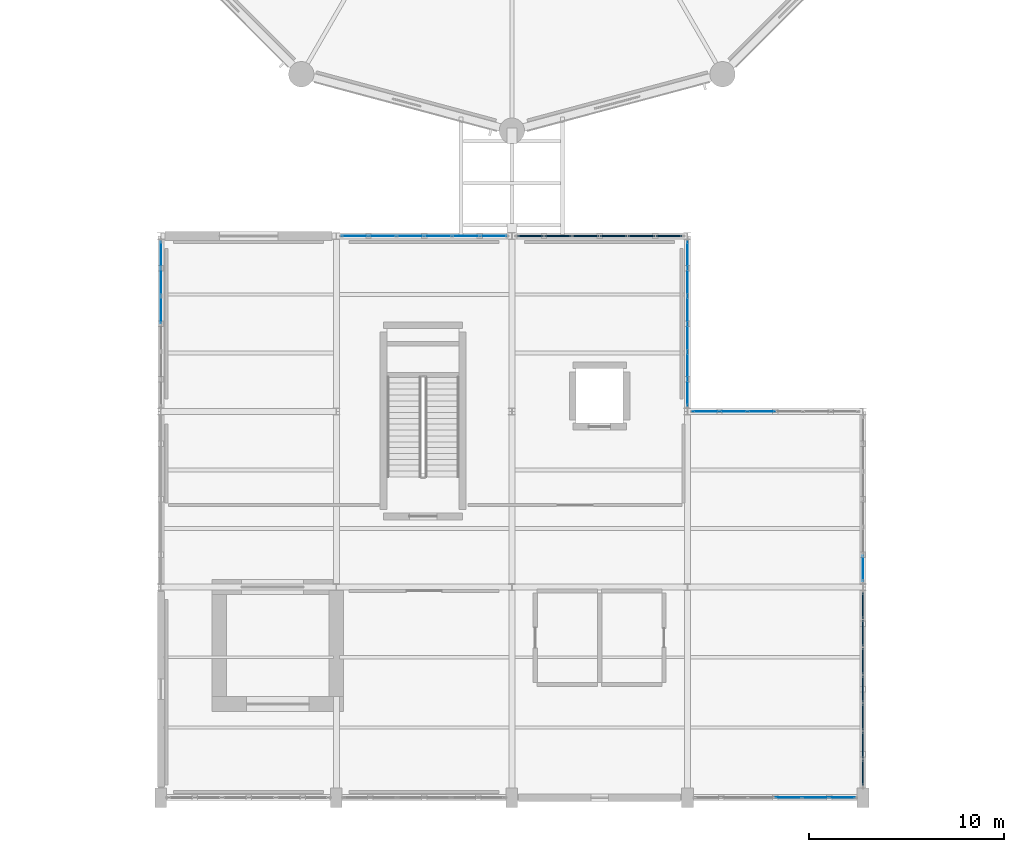
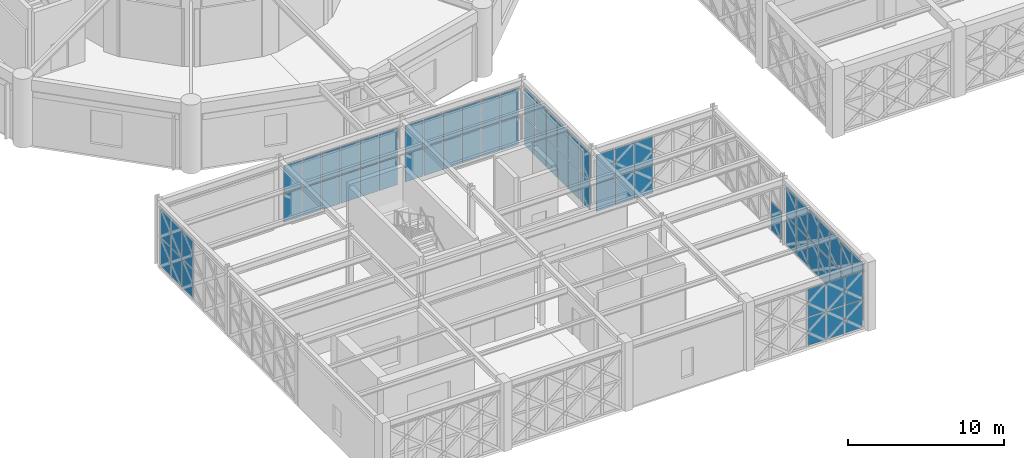
# One storey, part 127 of 166: 69 plates, 8 elements without a shape of their own.
"""IFC4 building model written with IfcOpenShell, lengths in metres."""

from ifc_helpers import new_model, si_unit, direction, frame, origin, origin_2d, place, context, subcontext, project, spatial, rectangle, extrude, material, layer, layer_set, type_object, element, aggregate, save


model = new_model("IFC4")

# Units and contexts
model_context = context("Model", 3, precision=1e-05, world=origin(), true_north=direction((0.0, 1.0)))
body_context = subcontext(model_context, "Body", "Model", "MODEL_VIEW")
ifc_project = project(units=[si_unit("LENGTHUNIT", "METRE"), si_unit("AREAUNIT", "SQUARE_METRE"), si_unit("VOLUMEUNIT", "CUBIC_METRE"), si_unit("PLANEANGLEUNIT", "RADIAN"), si_unit("MASSUNIT", "GRAM", prefix="KILO")], contexts=[model_context])

# Site, building, storey
site_placement = place(None, origin())
site = spatial("IfcSite", under=ifc_project, at=site_placement, CompositionType="ELEMENT")
building_placement = place(site_placement, origin())
building = spatial("IfcBuilding", under=site, at=building_placement, Name="Haizhuo Lancet Aquarium", CompositionType="ELEMENT")
storey_placement = place(building_placement, frame((0.0, 0.0, 5.39990234375)))
storey = spatial("IfcBuildingStorey", under=building, at=storey_placement, Name="L01", CompositionType="ELEMENT", Elevation=5.39990234375)

# Curtain wall, plates
ifc_material_1 = material(Name="Aluminium 6063-T6", Category="aluminium")
curtain_wall_type_1 = type_object("IfcCurtainWallType", Name="CWO-8560x4650", PredefinedType="NOTDEFINED", material=ifc_material_1)
curtain_wall_1_placement = place(storey_placement, origin())
curtain_wall_1 = element("IfcCurtainWall", 1, at=curtain_wall_1_placement, inside=storey, type_object=curtain_wall_type_1, Name="L01 curtain wall CW-V4-L01-093", PredefinedType="NOTDEFINED")
ifc_material_2 = material(Name="Laminated Low-E Glass", Category="glass")
ifc_layer_1 = layer(ifc_material_2, 0.028076171875)
ifc_layer_set_1 = layer_set([ifc_layer_1], Name="Laminated Low-E Glass")
plate_type_1 = type_object("IfcPlateType", Name="CW-PNL-1", PredefinedType="CURTAIN_PANEL", material=ifc_layer_set_1)
plate_1_placement = place(storey_placement, frame((9.0, -27.952880859375, 0.080078125), z_axis=(0.0, 0.0, 1.0), x_axis=(0.0, -1.0, 0.0)))
plate_1 = element("IfcPlate", 2, at=plate_1_placement, type_object=plate_type_1, Name="CWO-85x46 panel 1.1", PredefinedType="CURTAIN_PANEL", context=body_context, shape_type="SweptSolid", body=[
    extrude(rectangle(XDim=1.306884765625, YDim=0.028076171875, at=origin_2d()), origin(), (0.0, 0.0, 1.0), 2.2060546875),
])
plate_2_placement = place(storey_placement, frame((9.0, -27.952880859375, 2.365966796875), z_axis=(0.0, 0.0, 1.0), x_axis=(0.0, -1.0, 0.0)))
plate_2 = element("IfcPlate", 3, at=plate_2_placement, type_object=plate_type_1, Name="CWO-85x46 panel 1.2", PredefinedType="CURTAIN_PANEL", context=body_context, shape_type="SweptSolid", body=[
    extrude(rectangle(XDim=1.306884765625, YDim=0.028076171875, at=origin_2d()), origin(), (0.0, 0.0, 1.0), 2.2060546875),
])
plate_3_placement = place(storey_placement, frame((9.0, -29.360107421875, 0.080078125), z_axis=(0.0, 0.0, 1.0), x_axis=(0.0, -1.0, 0.0)))
plate_3 = element("IfcPlate", 4, at=plate_3_placement, type_object=plate_type_1, Name="CWO-85x46 panel 2.1", PredefinedType="CURTAIN_PANEL", context=body_context, shape_type="SweptSolid", body=[
    extrude(rectangle(XDim=1.346923828125, YDim=0.028076171875, at=origin_2d()), origin(), (0.0, 0.0, 1.0), 2.2060546875),
])
plate_4_placement = place(storey_placement, frame((9.0, -29.360107421875, 2.365966796875), z_axis=(0.0, 0.0, 1.0), x_axis=(0.0, -1.0, 0.0)))
plate_4 = element("IfcPlate", 5, at=plate_4_placement, type_object=plate_type_1, Name="CWO-85x46 panel 2.2", PredefinedType="CURTAIN_PANEL", context=body_context, shape_type="SweptSolid", body=[
    extrude(rectangle(XDim=1.346923828125, YDim=0.028076171875, at=origin_2d()), origin(), (0.0, 0.0, 1.0), 2.2060546875),
])
plate_5_placement = place(storey_placement, frame((9.0, -30.787109375, 0.080078125), z_axis=(0.0, 0.0, 1.0), x_axis=(0.0, -1.0, 0.0)))
plate_5 = element("IfcPlate", 6, at=plate_5_placement, type_object=plate_type_1, Name="CWO-85x46 panel 3.1", PredefinedType="CURTAIN_PANEL", context=body_context, shape_type="SweptSolid", body=[
    extrude(rectangle(XDim=1.346923828125, YDim=0.028076171875, at=origin_2d()), origin(), (0.0, 0.0, 1.0), 2.2060546875),
])
plate_6_placement = place(storey_placement, frame((9.0, -30.787109375, 2.365966796875), z_axis=(0.0, 0.0, 1.0), x_axis=(0.0, -1.0, 0.0)))
plate_6 = element("IfcPlate", 7, at=plate_6_placement, type_object=plate_type_1, Name="CWO-85x46 panel 3.2", PredefinedType="CURTAIN_PANEL", context=body_context, shape_type="SweptSolid", body=[
    extrude(rectangle(XDim=1.346923828125, YDim=0.028076171875, at=origin_2d()), origin(), (0.0, 0.0, 1.0), 2.2060546875),
])
plate_7_placement = place(storey_placement, frame((9.0, -32.212890625, 0.080078125), z_axis=(0.0, 0.0, 1.0), x_axis=(0.0, -1.0, 0.0)))
plate_7 = element("IfcPlate", 8, at=plate_7_placement, type_object=plate_type_1, Name="CWO-85x46 panel 4.1", PredefinedType="CURTAIN_PANEL", context=body_context, shape_type="SweptSolid", body=[
    extrude(rectangle(XDim=1.346923828125, YDim=0.028076171875, at=origin_2d()), origin(), (0.0, 0.0, 1.0), 2.2060546875),
])
plate_8_placement = place(storey_placement, frame((9.0, -32.212890625, 2.365966796875), z_axis=(0.0, 0.0, 1.0), x_axis=(0.0, -1.0, 0.0)))
plate_8 = element("IfcPlate", 9, at=plate_8_placement, type_object=plate_type_1, Name="CWO-85x46 panel 4.2", PredefinedType="CURTAIN_PANEL", context=body_context, shape_type="SweptSolid", body=[
    extrude(rectangle(XDim=1.346923828125, YDim=0.028076171875, at=origin_2d()), origin(), (0.0, 0.0, 1.0), 2.2060546875),
])
plate_9_placement = place(storey_placement, frame((9.0, -33.639892578125, 0.080078125), z_axis=(0.0, 0.0, 1.0), x_axis=(0.0, -1.0, 0.0)))
plate_9 = element("IfcPlate", 10, at=plate_9_placement, type_object=plate_type_1, Name="CWO-85x46 panel 5.1", PredefinedType="CURTAIN_PANEL", context=body_context, shape_type="SweptSolid", body=[
    extrude(rectangle(XDim=1.346923828125, YDim=0.028076171875, at=origin_2d()), origin(), (0.0, 0.0, 1.0), 2.2060546875),
])
plate_10_placement = place(storey_placement, frame((9.0, -33.639892578125, 2.365966796875), z_axis=(0.0, 0.0, 1.0), x_axis=(0.0, -1.0, 0.0)))
plate_10 = element("IfcPlate", 11, at=plate_10_placement, type_object=plate_type_1, Name="CWO-85x46 panel 5.2", PredefinedType="CURTAIN_PANEL", context=body_context, shape_type="SweptSolid", body=[
    extrude(rectangle(XDim=1.346923828125, YDim=0.028076171875, at=origin_2d()), origin(), (0.0, 0.0, 1.0), 2.2060546875),
])
plate_11_placement = place(storey_placement, frame((9.0, -35.047119140625, 0.080078125), z_axis=(0.0, 0.0, 1.0), x_axis=(0.0, -1.0, 0.0)))
plate_11 = element("IfcPlate", 12, at=plate_11_placement, type_object=plate_type_1, Name="CWO-85x46 panel 6.1", PredefinedType="CURTAIN_PANEL", context=body_context, shape_type="SweptSolid", body=[
    extrude(rectangle(XDim=1.306884765625, YDim=0.028076171875, at=origin_2d()), origin(), (0.0, 0.0, 1.0), 2.2060546875),
])
plate_12_placement = place(storey_placement, frame((9.0, -35.047119140625, 2.365966796875), z_axis=(0.0, 0.0, 1.0), x_axis=(0.0, -1.0, 0.0)))
plate_12 = element("IfcPlate", 13, at=plate_12_placement, type_object=plate_type_1, Name="CWO-85x46 panel 6.2", PredefinedType="CURTAIN_PANEL", context=body_context, shape_type="SweptSolid", body=[
    extrude(rectangle(XDim=1.306884765625, YDim=0.028076171875, at=origin_2d()), origin(), (0.0, 0.0, 1.0), 2.2060546875),
])
aggregate(curtain_wall_1, [plate_1, plate_2, plate_3, plate_4, plate_5, plate_6, plate_7, plate_8, plate_9, plate_10, plate_11, plate_12])

curtain_wall_type_2 = type_object("IfcCurtainWallType", Name="CWO-8310x4550", PredefinedType="NOTDEFINED", material=ifc_material_1)
curtain_wall_2_placement = place(storey_placement, origin())
curtain_wall_2 = element("IfcCurtainWall", 14, at=curtain_wall_2_placement, inside=storey, type_object=curtain_wall_type_2, Name="L01 curtain wall CW-V4-L01-097", PredefinedType="NOTDEFINED")
plate_13_placement = place(storey_placement, frame((16.946044921875, -55.800048828125, 0.064453125), z_axis=(0.0, 0.0, 1.0), x_axis=(-1.0, 0.0, 0.0)))
plate_13 = element("IfcPlate", 15, at=plate_13_placement, type_object=plate_type_1, Name="CWO-83x45 panel 1.1", PredefinedType="CURTAIN_PANEL", context=body_context, shape_type="SweptSolid", body=[
    extrude(rectangle(XDim=1.2880859375, YDim=0.028076171875, at=origin_2d()), origin(), (0.0, 0.0, 1.0), 2.178955078125),
])
plate_14_placement = place(storey_placement, frame((16.946044921875, -55.800048828125, 2.30908203125), z_axis=(0.0, 0.0, 1.0), x_axis=(-1.0, 0.0, 0.0)))
plate_14 = element("IfcPlate", 16, at=plate_14_placement, type_object=plate_type_1, Name="CWO-83x45 panel 1.2", PredefinedType="CURTAIN_PANEL", context=body_context, shape_type="SweptSolid", body=[
    extrude(rectangle(XDim=1.2880859375, YDim=0.028076171875, at=origin_2d()), origin(), (0.0, 0.0, 1.0), 2.177978515625),
])
plate_15_placement = place(storey_placement, frame((15.577880859375, -55.800048828125, 0.064453125), z_axis=(0.0, 0.0, 1.0), x_axis=(-1.0, 0.0, 0.0)))
plate_15 = element("IfcPlate", 17, at=plate_15_placement, type_object=plate_type_1, Name="CWO-83x45 panel 2.1", PredefinedType="CURTAIN_PANEL", context=body_context, shape_type="SweptSolid", body=[
    extrude(rectangle(XDim=1.320068359375, YDim=0.028076171875, at=origin_2d()), origin(), (0.0, 0.0, 1.0), 2.178955078125),
])
plate_16_placement = place(storey_placement, frame((15.577880859375, -55.800048828125, 2.30908203125), z_axis=(0.0, 0.0, 1.0), x_axis=(-1.0, 0.0, 0.0)))
plate_16 = element("IfcPlate", 18, at=plate_16_placement, type_object=plate_type_1, Name="CWO-83x45 panel 2.2", PredefinedType="CURTAIN_PANEL", context=body_context, shape_type="SweptSolid", body=[
    extrude(rectangle(XDim=1.320068359375, YDim=0.028076171875, at=origin_2d()), origin(), (0.0, 0.0, 1.0), 2.177978515625),
])
plate_17_placement = place(storey_placement, frame((14.193115234375, -55.800048828125, 0.064453125), z_axis=(0.0, 0.0, 1.0), x_axis=(-1.0, 0.0, 0.0)))
plate_17 = element("IfcPlate", 19, at=plate_17_placement, type_object=plate_type_1, Name="CWO-83x45 panel 3.1", PredefinedType="CURTAIN_PANEL", context=body_context, shape_type="SweptSolid", body=[
    extrude(rectangle(XDim=1.320068359375, YDim=0.028076171875, at=origin_2d()), origin(), (0.0, 0.0, 1.0), 2.178955078125),
])
plate_18_placement = place(storey_placement, frame((14.193115234375, -55.800048828125, 2.30908203125), z_axis=(0.0, 0.0, 1.0), x_axis=(-1.0, 0.0, 0.0)))
plate_18 = element("IfcPlate", 20, at=plate_18_placement, type_object=plate_type_1, Name="CWO-83x45 panel 3.2", PredefinedType="CURTAIN_PANEL", context=body_context, shape_type="SweptSolid", body=[
    extrude(rectangle(XDim=1.320068359375, YDim=0.028076171875, at=origin_2d()), origin(), (0.0, 0.0, 1.0), 2.177978515625),
])
aggregate(curtain_wall_2, [plate_13, plate_14, plate_15, plate_16, plate_17, plate_18])

curtain_wall_3_placement = place(storey_placement, origin())
curtain_wall_3 = element("IfcCurtainWall", 21, at=curtain_wall_3_placement, inside=storey, type_object=curtain_wall_type_1, Name="L01 curtain wall CW-V4-L01-101", PredefinedType="NOTDEFINED")
plate_19_placement = place(storey_placement, frame((-18.0, -30.787109375, 0.0751953125), z_axis=(0.0, 0.0, 1.0), x_axis=(0.0, 1.0, 0.0)))
plate_19 = element("IfcPlate", 22, at=plate_19_placement, type_object=plate_type_1, Name="CWO-85x46 panel 4.1", PredefinedType="CURTAIN_PANEL", context=body_context, shape_type="SweptSolid", body=[
    extrude(rectangle(XDim=1.35205078125, YDim=0.028076171875, at=origin_2d()), origin(), (0.0, 0.0, 1.0), 2.214111328125),
])
plate_20_placement = place(storey_placement, frame((-18.0, -30.787109375, 2.36328125), z_axis=(0.0, 0.0, 1.0), x_axis=(0.0, 1.0, 0.0)))
plate_20 = element("IfcPlate", 23, at=plate_20_placement, type_object=plate_type_1, Name="CWO-85x46 panel 4.2", PredefinedType="CURTAIN_PANEL", context=body_context, shape_type="SweptSolid", body=[
    extrude(rectangle(XDim=1.35205078125, YDim=0.028076171875, at=origin_2d()), origin(), (0.0, 0.0, 1.0), 2.214111328125),
])
plate_21_placement = place(storey_placement, frame((-18.0, -29.360107421875, 0.0751953125), z_axis=(0.0, 0.0, 1.0), x_axis=(0.0, 1.0, 0.0)))
plate_21 = element("IfcPlate", 24, at=plate_21_placement, type_object=plate_type_1, Name="CWO-85x46 panel 5.1", PredefinedType="CURTAIN_PANEL", context=body_context, shape_type="SweptSolid", body=[
    extrude(rectangle(XDim=1.35205078125, YDim=0.028076171875, at=origin_2d()), origin(), (0.0, 0.0, 1.0), 2.214111328125),
])
plate_22_placement = place(storey_placement, frame((-18.0, -29.360107421875, 2.36328125), z_axis=(0.0, 0.0, 1.0), x_axis=(0.0, 1.0, 0.0)))
plate_22 = element("IfcPlate", 25, at=plate_22_placement, type_object=plate_type_1, Name="CWO-85x46 panel 5.2", PredefinedType="CURTAIN_PANEL", context=body_context, shape_type="SweptSolid", body=[
    extrude(rectangle(XDim=1.35205078125, YDim=0.028076171875, at=origin_2d()), origin(), (0.0, 0.0, 1.0), 2.214111328125),
])
plate_23_placement = place(storey_placement, frame((-18.0, -27.951904296875, 0.0751953125), z_axis=(0.0, 0.0, 1.0), x_axis=(0.0, 1.0, 0.0)))
plate_23 = element("IfcPlate", 26, at=plate_23_placement, type_object=plate_type_1, Name="CWO-85x46 panel 6.1", PredefinedType="CURTAIN_PANEL", context=body_context, shape_type="SweptSolid", body=[
    extrude(rectangle(XDim=1.31396484375, YDim=0.028076171875, at=origin_2d()), origin(), (0.0, 0.0, 1.0), 2.214111328125),
])
plate_24_placement = place(storey_placement, frame((-18.0, -27.951904296875, 2.36328125), z_axis=(0.0, 0.0, 1.0), x_axis=(0.0, 1.0, 0.0)))
plate_24 = element("IfcPlate", 27, at=plate_24_placement, type_object=plate_type_1, Name="CWO-85x46 panel 6.2", PredefinedType="CURTAIN_PANEL", context=body_context, shape_type="SweptSolid", body=[
    extrude(rectangle(XDim=1.31396484375, YDim=0.028076171875, at=origin_2d()), origin(), (0.0, 0.0, 1.0), 2.214111328125),
])
aggregate(curtain_wall_3, [plate_19, plate_20, plate_21, plate_22, plate_23, plate_24])

curtain_wall_type_3 = type_object("IfcCurtainWallType", Name="CWO-8560x4550", PredefinedType="NOTDEFINED", material=ifc_material_1)
curtain_wall_4_placement = place(storey_placement, origin())
curtain_wall_4 = element("IfcCurtainWall", 28, at=curtain_wall_4_placement, inside=storey, type_object=curtain_wall_type_3, Name="L01 curtain wall CW-V4-L01-094", PredefinedType="NOTDEFINED")
ifc_layer_2 = layer(ifc_material_2, 0.033935546875)
ifc_layer_set_2 = layer_set([ifc_layer_2], Name="Laminated Low-E Glass")
plate_type_2 = type_object("IfcPlateType", Name="CW-PNL-2", PredefinedType="CURTAIN_PANEL", material=ifc_layer_set_2)
plate_25_placement = place(storey_placement, frame((9.949951171875, -36.0, 0.064453125), z_axis=(0.0, 0.0, 1.0), x_axis=(1.0, 0.0, 0.0)))
plate_25 = element("IfcPlate", 29, at=plate_25_placement, type_object=plate_type_2, Name="CWO-85x45 panel 1.1", PredefinedType="CURTAIN_PANEL", context=body_context, shape_type="SweptSolid", body=[
    extrude(rectangle(XDim=1.3291015625, YDim=0.033935546875, at=origin_2d()), origin(), (0.0, 0.0, 1.0), 2.178955078125),
])
plate_26_placement = place(storey_placement, frame((9.949951171875, -36.0, 2.30908203125), z_axis=(0.0, 0.0, 1.0), x_axis=(1.0, 0.0, 0.0)))
plate_26 = element("IfcPlate", 30, at=plate_26_placement, type_object=plate_type_2, Name="CWO-85x45 panel 1.2", PredefinedType="CURTAIN_PANEL", context=body_context, shape_type="SweptSolid", body=[
    extrude(rectangle(XDim=1.3291015625, YDim=0.033935546875, at=origin_2d()), origin(), (0.0, 0.0, 1.0), 2.177978515625),
])
plate_27_placement = place(storey_placement, frame((11.360107421875, -36.0, 0.064453125), z_axis=(0.0, 0.0, 1.0), x_axis=(1.0, 0.0, 0.0)))
plate_27 = element("IfcPlate", 31, at=plate_27_placement, type_object=plate_type_2, Name="CWO-85x45 panel 2.1", PredefinedType="CURTAIN_PANEL", context=body_context, shape_type="SweptSolid", body=[
    extrude(rectangle(XDim=1.362060546875, YDim=0.033935546875, at=origin_2d()), origin(), (0.0, 0.0, 1.0), 2.178955078125),
])
plate_28_placement = place(storey_placement, frame((11.360107421875, -36.0, 2.30908203125), z_axis=(0.0, 0.0, 1.0), x_axis=(1.0, 0.0, 0.0)))
plate_28 = element("IfcPlate", 32, at=plate_28_placement, type_object=plate_type_2, Name="CWO-85x45 panel 2.2", PredefinedType="CURTAIN_PANEL", context=body_context, shape_type="SweptSolid", body=[
    extrude(rectangle(XDim=1.362060546875, YDim=0.033935546875, at=origin_2d()), origin(), (0.0, 0.0, 1.0), 2.177978515625),
])
plate_29_placement = place(storey_placement, frame((12.787109375, -36.0, 0.064453125), z_axis=(0.0, 0.0, 1.0), x_axis=(1.0, 0.0, 0.0)))
plate_29 = element("IfcPlate", 33, at=plate_29_placement, type_object=plate_type_2, Name="CWO-85x45 panel 3.1", PredefinedType="CURTAIN_PANEL", context=body_context, shape_type="SweptSolid", body=[
    extrude(rectangle(XDim=1.362060546875, YDim=0.033935546875, at=origin_2d()), origin(), (0.0, 0.0, 1.0), 2.178955078125),
])
plate_30_placement = place(storey_placement, frame((12.787109375, -36.0, 2.30908203125), z_axis=(0.0, 0.0, 1.0), x_axis=(1.0, 0.0, 0.0)))
plate_30 = element("IfcPlate", 34, at=plate_30_placement, type_object=plate_type_2, Name="CWO-85x45 panel 3.2", PredefinedType="CURTAIN_PANEL", context=body_context, shape_type="SweptSolid", body=[
    extrude(rectangle(XDim=1.362060546875, YDim=0.033935546875, at=origin_2d()), origin(), (0.0, 0.0, 1.0), 2.177978515625),
])
aggregate(curtain_wall_4, [plate_25, plate_26, plate_27, plate_28, plate_29, plate_30])

curtain_wall_5_placement = place(storey_placement, origin())
curtain_wall_5 = element("IfcCurtainWall", 35, at=curtain_wall_5_placement, inside=storey, type_object=curtain_wall_type_3, Name="L01 curtain wall CW-V4-L01-091", PredefinedType="NOTDEFINED")
ifc_layer_3 = layer(ifc_material_2, 0.0419921875)
ifc_layer_set_3 = layer_set([ifc_layer_3], Name="Laminated Low-E Glass")
plate_type_3 = type_object("IfcPlateType", Name="CW-PNL-3", PredefinedType="CURTAIN_PANEL", material=ifc_layer_set_3)
plate_31_placement = place(storey_placement, frame((-8.050048828125, -27.0, 0.064453125), z_axis=(0.0, 0.0, 1.0), x_axis=(1.0, 0.0, 0.0)))
plate_31 = element("IfcPlate", 36, at=plate_31_placement, type_object=plate_type_3, Name="CWO-85x45 panel 1.1", PredefinedType="CURTAIN_PANEL", context=body_context, shape_type="SweptSolid", body=[
    extrude(rectangle(XDim=1.3291015625, YDim=0.0419921875, at=origin_2d()), origin(), (0.0, 0.0, 1.0), 2.178955078125),
])
plate_32_placement = place(storey_placement, frame((-8.050048828125, -27.0, 2.30908203125), z_axis=(0.0, 0.0, 1.0), x_axis=(1.0, 0.0, 0.0)))
plate_32 = element("IfcPlate", 37, at=plate_32_placement, type_object=plate_type_3, Name="CWO-85x45 panel 1.2", PredefinedType="CURTAIN_PANEL", context=body_context, shape_type="SweptSolid", body=[
    extrude(rectangle(XDim=1.3291015625, YDim=0.0419921875, at=origin_2d()), origin(), (0.0, 0.0, 1.0), 2.177978515625),
])
plate_33_placement = place(storey_placement, frame((-6.639892578125, -27.0, 0.064453125), z_axis=(0.0, 0.0, 1.0), x_axis=(1.0, 0.0, 0.0)))
plate_33 = element("IfcPlate", 38, at=plate_33_placement, type_object=plate_type_3, Name="CWO-85x45 panel 2.1", PredefinedType="CURTAIN_PANEL", context=body_context, shape_type="SweptSolid", body=[
    extrude(rectangle(XDim=1.362060546875, YDim=0.0419921875, at=origin_2d()), origin(), (0.0, 0.0, 1.0), 2.178955078125),
])
plate_34_placement = place(storey_placement, frame((-6.639892578125, -27.0, 2.30908203125), z_axis=(0.0, 0.0, 1.0), x_axis=(1.0, 0.0, 0.0)))
plate_34 = element("IfcPlate", 39, at=plate_34_placement, type_object=plate_type_3, Name="CWO-85x45 panel 2.2", PredefinedType="CURTAIN_PANEL", context=body_context, shape_type="SweptSolid", body=[
    extrude(rectangle(XDim=1.362060546875, YDim=0.0419921875, at=origin_2d()), origin(), (0.0, 0.0, 1.0), 2.177978515625),
])
plate_35_placement = place(storey_placement, frame((-5.212890625, -27.0, 0.064453125), z_axis=(0.0, 0.0, 1.0), x_axis=(1.0, 0.0, 0.0)))
plate_35 = element("IfcPlate", 40, at=plate_35_placement, type_object=plate_type_3, Name="CWO-85x45 panel 3.1", PredefinedType="CURTAIN_PANEL", context=body_context, shape_type="SweptSolid", body=[
    extrude(rectangle(XDim=1.362060546875, YDim=0.0419921875, at=origin_2d()), origin(), (0.0, 0.0, 1.0), 2.178955078125),
])
plate_36_placement = place(storey_placement, frame((-5.212890625, -27.0, 2.30908203125), z_axis=(0.0, 0.0, 1.0), x_axis=(1.0, 0.0, 0.0)))
plate_36 = element("IfcPlate", 41, at=plate_36_placement, type_object=plate_type_3, Name="CWO-85x45 panel 3.2", PredefinedType="CURTAIN_PANEL", context=body_context, shape_type="SweptSolid", body=[
    extrude(rectangle(XDim=1.362060546875, YDim=0.0419921875, at=origin_2d()), origin(), (0.0, 0.0, 1.0), 2.177978515625),
])
plate_37_placement = place(storey_placement, frame((-3.787109375, -27.0, 0.064453125), z_axis=(0.0, 0.0, 1.0), x_axis=(1.0, 0.0, 0.0)))
plate_37 = element("IfcPlate", 42, at=plate_37_placement, type_object=plate_type_3, Name="CWO-85x45 panel 4.1", PredefinedType="CURTAIN_PANEL", context=body_context, shape_type="SweptSolid", body=[
    extrude(rectangle(XDim=1.362060546875, YDim=0.0419921875, at=origin_2d()), origin(), (0.0, 0.0, 1.0), 2.178955078125),
])
plate_38_placement = place(storey_placement, frame((-3.787109375, -27.0, 2.30908203125), z_axis=(0.0, 0.0, 1.0), x_axis=(1.0, 0.0, 0.0)))
plate_38 = element("IfcPlate", 43, at=plate_38_placement, type_object=plate_type_3, Name="CWO-85x45 panel 4.2", PredefinedType="CURTAIN_PANEL", context=body_context, shape_type="SweptSolid", body=[
    extrude(rectangle(XDim=1.362060546875, YDim=0.0419921875, at=origin_2d()), origin(), (0.0, 0.0, 1.0), 2.177978515625),
])
plate_39_placement = place(storey_placement, frame((-2.360107421875, -27.0, 0.064453125), z_axis=(0.0, 0.0, 1.0), x_axis=(1.0, 0.0, 0.0)))
plate_39 = element("IfcPlate", 44, at=plate_39_placement, type_object=plate_type_3, Name="CWO-85x45 panel 5.1", PredefinedType="CURTAIN_PANEL", context=body_context, shape_type="SweptSolid", body=[
    extrude(rectangle(XDim=1.362060546875, YDim=0.0419921875, at=origin_2d()), origin(), (0.0, 0.0, 1.0), 2.178955078125),
])
plate_40_placement = place(storey_placement, frame((-2.360107421875, -27.0, 2.30908203125), z_axis=(0.0, 0.0, 1.0), x_axis=(1.0, 0.0, 0.0)))
plate_40 = element("IfcPlate", 45, at=plate_40_placement, type_object=plate_type_3, Name="CWO-85x45 panel 5.2", PredefinedType="CURTAIN_PANEL", context=body_context, shape_type="SweptSolid", body=[
    extrude(rectangle(XDim=1.362060546875, YDim=0.0419921875, at=origin_2d()), origin(), (0.0, 0.0, 1.0), 2.177978515625),
])
plate_41_placement = place(storey_placement, frame((-0.949951171875, -27.0, 0.064453125), z_axis=(0.0, 0.0, 1.0), x_axis=(1.0, 0.0, 0.0)))
plate_41 = element("IfcPlate", 46, at=plate_41_placement, type_object=plate_type_3, Name="CWO-85x45 panel 6.1", PredefinedType="CURTAIN_PANEL", context=body_context, shape_type="SweptSolid", body=[
    extrude(rectangle(XDim=1.3291015625, YDim=0.0419921875, at=origin_2d()), origin(), (0.0, 0.0, 1.0), 2.178955078125),
])
plate_42_placement = place(storey_placement, frame((-0.949951171875, -27.0, 2.30908203125), z_axis=(0.0, 0.0, 1.0), x_axis=(1.0, 0.0, 0.0)))
plate_42 = element("IfcPlate", 47, at=plate_42_placement, type_object=plate_type_3, Name="CWO-85x45 panel 6.2", PredefinedType="CURTAIN_PANEL", context=body_context, shape_type="SweptSolid", body=[
    extrude(rectangle(XDim=1.3291015625, YDim=0.0419921875, at=origin_2d()), origin(), (0.0, 0.0, 1.0), 2.177978515625),
])
aggregate(curtain_wall_5, [plate_31, plate_32, plate_33, plate_34, plate_35, plate_36, plate_37, plate_38, plate_39, plate_40, plate_41, plate_42])

# Curtain wall, plate
curtain_wall_6_placement = place(storey_placement, origin())
curtain_wall_6 = element("IfcCurtainWall", 48, at=curtain_wall_6_placement, inside=storey, type_object=curtain_wall_type_1, Name="L01 curtain wall CW-V4-L01-095", PredefinedType="NOTDEFINED")
plate_43_placement = place(storey_placement, frame((18.0, -44.048095703125, 0.0751953125), z_axis=(0.0, 0.0, 1.0), x_axis=(0.0, -1.0, 0.0)))
plate_43 = element("IfcPlate", 49, at=plate_43_placement, type_object=plate_type_3, Name="CWO-85x46 panel 6.1", PredefinedType="CURTAIN_PANEL", context=body_context, shape_type="SweptSolid", body=[
    extrude(rectangle(XDim=1.31396484375, YDim=0.0419921875, at=origin_2d()), origin(), (0.0, 0.0, 1.0), 2.214111328125),
])
aggregate(curtain_wall_6, [plate_43])

# Curtain wall, plates
curtain_wall_7_placement = place(storey_placement, origin())
curtain_wall_7 = element("IfcCurtainWall", 50, at=curtain_wall_7_placement, inside=storey, type_object=curtain_wall_type_3, Name="L01 curtain wall CW-V4-L01-092", PredefinedType="NOTDEFINED")
ifc_layer_4 = layer(ifc_material_2, 0.052001953125)
ifc_layer_set_4 = layer_set([ifc_layer_4], Name="Laminated Low-E Glass")
plate_type_4 = type_object("IfcPlateType", Name="CW-PNL-4", PredefinedType="CURTAIN_PANEL", material=ifc_layer_set_4)
plate_44_placement = place(storey_placement, frame((0.951904296875, -27.0, 0.074951171875), z_axis=(0.0, 0.0, 1.0), x_axis=(1.0, 0.0, 0.0)))
plate_44 = element("IfcPlate", 51, at=plate_44_placement, type_object=plate_type_4, Name="CWO-85x45 panel 1.1", PredefinedType="CURTAIN_PANEL", context=body_context, shape_type="SweptSolid", body=[
    extrude(rectangle(XDim=1.31396484375, YDim=0.052001953125, at=origin_2d()), origin(), (0.0, 0.0, 1.0), 2.1640625),
])
plate_45_placement = place(storey_placement, frame((0.951904296875, -27.0, 2.31298828125), z_axis=(0.0, 0.0, 1.0), x_axis=(1.0, 0.0, 0.0)))
plate_45 = element("IfcPlate", 52, at=plate_45_placement, type_object=plate_type_4, Name="CWO-85x45 panel 1.2", PredefinedType="CURTAIN_PANEL", context=body_context, shape_type="SweptSolid", body=[
    extrude(rectangle(XDim=1.31396484375, YDim=0.052001953125, at=origin_2d()), origin(), (0.0, 0.0, 1.0), 2.1640625),
])
plate_46_placement = place(storey_placement, frame((2.360107421875, -27.0, 0.074951171875), z_axis=(0.0, 0.0, 1.0), x_axis=(1.0, 0.0, 0.0)))
plate_46 = element("IfcPlate", 53, at=plate_46_placement, type_object=plate_type_4, Name="CWO-85x45 panel 2.1", PredefinedType="CURTAIN_PANEL", context=body_context, shape_type="SweptSolid", body=[
    extrude(rectangle(XDim=1.35205078125, YDim=0.052001953125, at=origin_2d()), origin(), (0.0, 0.0, 1.0), 2.1640625),
])
plate_47_placement = place(storey_placement, frame((2.360107421875, -27.0, 2.31298828125), z_axis=(0.0, 0.0, 1.0), x_axis=(1.0, 0.0, 0.0)))
plate_47 = element("IfcPlate", 54, at=plate_47_placement, type_object=plate_type_4, Name="CWO-85x45 panel 2.2", PredefinedType="CURTAIN_PANEL", context=body_context, shape_type="SweptSolid", body=[
    extrude(rectangle(XDim=1.35205078125, YDim=0.052001953125, at=origin_2d()), origin(), (0.0, 0.0, 1.0), 2.1640625),
])
plate_48_placement = place(storey_placement, frame((3.787109375, -27.0, 0.074951171875), z_axis=(0.0, 0.0, 1.0), x_axis=(1.0, 0.0, 0.0)))
plate_48 = element("IfcPlate", 55, at=plate_48_placement, type_object=plate_type_4, Name="CWO-85x45 panel 3.1", PredefinedType="CURTAIN_PANEL", context=body_context, shape_type="SweptSolid", body=[
    extrude(rectangle(XDim=1.35205078125, YDim=0.052001953125, at=origin_2d()), origin(), (0.0, 0.0, 1.0), 2.1640625),
])
plate_49_placement = place(storey_placement, frame((3.787109375, -27.0, 2.31298828125), z_axis=(0.0, 0.0, 1.0), x_axis=(1.0, 0.0, 0.0)))
plate_49 = element("IfcPlate", 56, at=plate_49_placement, type_object=plate_type_4, Name="CWO-85x45 panel 3.2", PredefinedType="CURTAIN_PANEL", context=body_context, shape_type="SweptSolid", body=[
    extrude(rectangle(XDim=1.35205078125, YDim=0.052001953125, at=origin_2d()), origin(), (0.0, 0.0, 1.0), 2.1640625),
])
plate_50_placement = place(storey_placement, frame((5.212890625, -27.0, 0.074951171875), z_axis=(0.0, 0.0, 1.0), x_axis=(1.0, 0.0, 0.0)))
plate_50 = element("IfcPlate", 57, at=plate_50_placement, type_object=plate_type_4, Name="CWO-85x45 panel 4.1", PredefinedType="CURTAIN_PANEL", context=body_context, shape_type="SweptSolid", body=[
    extrude(rectangle(XDim=1.35205078125, YDim=0.052001953125, at=origin_2d()), origin(), (0.0, 0.0, 1.0), 2.1640625),
])
plate_51_placement = place(storey_placement, frame((5.212890625, -27.0, 2.31298828125), z_axis=(0.0, 0.0, 1.0), x_axis=(1.0, 0.0, 0.0)))
plate_51 = element("IfcPlate", 58, at=plate_51_placement, type_object=plate_type_4, Name="CWO-85x45 panel 4.2", PredefinedType="CURTAIN_PANEL", context=body_context, shape_type="SweptSolid", body=[
    extrude(rectangle(XDim=1.35205078125, YDim=0.052001953125, at=origin_2d()), origin(), (0.0, 0.0, 1.0), 2.1640625),
])
plate_52_placement = place(storey_placement, frame((6.639892578125, -27.0, 0.074951171875), z_axis=(0.0, 0.0, 1.0), x_axis=(1.0, 0.0, 0.0)))
plate_52 = element("IfcPlate", 59, at=plate_52_placement, type_object=plate_type_4, Name="CWO-85x45 panel 5.1", PredefinedType="CURTAIN_PANEL", context=body_context, shape_type="SweptSolid", body=[
    extrude(rectangle(XDim=1.35205078125, YDim=0.052001953125, at=origin_2d()), origin(), (0.0, 0.0, 1.0), 2.1640625),
])
plate_53_placement = place(storey_placement, frame((6.639892578125, -27.0, 2.31298828125), z_axis=(0.0, 0.0, 1.0), x_axis=(1.0, 0.0, 0.0)))
plate_53 = element("IfcPlate", 60, at=plate_53_placement, type_object=plate_type_4, Name="CWO-85x45 panel 5.2", PredefinedType="CURTAIN_PANEL", context=body_context, shape_type="SweptSolid", body=[
    extrude(rectangle(XDim=1.35205078125, YDim=0.052001953125, at=origin_2d()), origin(), (0.0, 0.0, 1.0), 2.1640625),
])
plate_54_placement = place(storey_placement, frame((8.048095703125, -27.0, 0.074951171875), z_axis=(0.0, 0.0, 1.0), x_axis=(1.0, 0.0, 0.0)))
plate_54 = element("IfcPlate", 61, at=plate_54_placement, type_object=plate_type_4, Name="CWO-85x45 panel 6.1", PredefinedType="CURTAIN_PANEL", context=body_context, shape_type="SweptSolid", body=[
    extrude(rectangle(XDim=1.31396484375, YDim=0.052001953125, at=origin_2d()), origin(), (0.0, 0.0, 1.0), 2.1640625),
])
plate_55_placement = place(storey_placement, frame((8.048095703125, -27.0, 2.31298828125), z_axis=(0.0, 0.0, 1.0), x_axis=(1.0, 0.0, 0.0)))
plate_55 = element("IfcPlate", 62, at=plate_55_placement, type_object=plate_type_4, Name="CWO-85x45 panel 6.2", PredefinedType="CURTAIN_PANEL", context=body_context, shape_type="SweptSolid", body=[
    extrude(rectangle(XDim=1.31396484375, YDim=0.052001953125, at=origin_2d()), origin(), (0.0, 0.0, 1.0), 2.1640625),
])
aggregate(curtain_wall_7, [plate_44, plate_45, plate_46, plate_47, plate_48, plate_49, plate_50, plate_51, plate_52, plate_53, plate_54, plate_55])

curtain_wall_type_4 = type_object("IfcCurtainWallType", Name="CWO-10040x4650", PredefinedType="NOTDEFINED", material=ifc_material_1)
curtain_wall_8_placement = place(storey_placement, origin())
curtain_wall_8 = element("IfcCurtainWall", 63, at=curtain_wall_8_placement, inside=storey, type_object=curtain_wall_type_4, Name="L01 curtain wall CW-V4-L01-096", PredefinedType="NOTDEFINED")
plate_56_placement = place(storey_placement, frame((18.0, -45.95703125, 0.080078125), z_axis=(0.0, 0.0, 1.0), x_axis=(0.0, -1.0, 0.0)))
plate_56 = element("IfcPlate", 64, at=plate_56_placement, type_object=plate_type_4, Name="CWO-100x46 panel 1.1", PredefinedType="CURTAIN_PANEL", context=body_context, shape_type="SweptSolid", body=[
    extrude(rectangle(XDim=1.31396484375, YDim=0.052001953125, at=origin_2d()), origin(), (0.0, 0.0, 1.0), 2.2060546875),
])
plate_57_placement = place(storey_placement, frame((18.0, -45.95703125, 2.365966796875), z_axis=(0.0, 0.0, 1.0), x_axis=(0.0, -1.0, 0.0)))
plate_57 = element("IfcPlate", 65, at=plate_57_placement, type_object=plate_type_4, Name="CWO-100x46 panel 1.2", PredefinedType="CURTAIN_PANEL", context=body_context, shape_type="SweptSolid", body=[
    extrude(rectangle(XDim=1.31396484375, YDim=0.052001953125, at=origin_2d()), origin(), (0.0, 0.0, 1.0), 2.2060546875),
])
plate_58_placement = place(storey_placement, frame((18.0, -47.3701171875, 0.080078125), z_axis=(0.0, 0.0, 1.0), x_axis=(0.0, -1.0, 0.0)))
plate_58 = element("IfcPlate", 66, at=plate_58_placement, type_object=plate_type_4, Name="CWO-100x46 panel 2.1", PredefinedType="CURTAIN_PANEL", context=body_context, shape_type="SweptSolid", body=[
    extrude(rectangle(XDim=1.35400390625, YDim=0.052001953125, at=origin_2d()), origin(), (0.0, 0.0, 1.0), 2.2060546875),
])
plate_59_placement = place(storey_placement, frame((18.0, -47.3701171875, 2.365966796875), z_axis=(0.0, 0.0, 1.0), x_axis=(0.0, -1.0, 0.0)))
plate_59 = element("IfcPlate", 67, at=plate_59_placement, type_object=plate_type_4, Name="CWO-100x46 panel 2.2", PredefinedType="CURTAIN_PANEL", context=body_context, shape_type="SweptSolid", body=[
    extrude(rectangle(XDim=1.35400390625, YDim=0.052001953125, at=origin_2d()), origin(), (0.0, 0.0, 1.0), 2.2060546875),
])
plate_60_placement = place(storey_placement, frame((18.0, -48.803955078125, 0.080078125), z_axis=(0.0, 0.0, 1.0), x_axis=(0.0, -1.0, 0.0)))
plate_60 = element("IfcPlate", 68, at=plate_60_placement, type_object=plate_type_4, Name="CWO-100x46 panel 3.1", PredefinedType="CURTAIN_PANEL", context=body_context, shape_type="SweptSolid", body=[
    extrude(rectangle(XDim=1.35400390625, YDim=0.052001953125, at=origin_2d()), origin(), (0.0, 0.0, 1.0), 2.2060546875),
])
plate_61_placement = place(storey_placement, frame((18.0, -48.803955078125, 2.365966796875), z_axis=(0.0, 0.0, 1.0), x_axis=(0.0, -1.0, 0.0)))
plate_61 = element("IfcPlate", 69, at=plate_61_placement, type_object=plate_type_4, Name="CWO-100x46 panel 3.2", PredefinedType="CURTAIN_PANEL", context=body_context, shape_type="SweptSolid", body=[
    extrude(rectangle(XDim=1.35400390625, YDim=0.052001953125, at=origin_2d()), origin(), (0.0, 0.0, 1.0), 2.2060546875),
])
plate_62_placement = place(storey_placement, frame((18.0, -50.237060546875, 0.080078125), z_axis=(0.0, 0.0, 1.0), x_axis=(0.0, -1.0, 0.0)))
plate_62 = element("IfcPlate", 70, at=plate_62_placement, type_object=plate_type_4, Name="CWO-100x46 panel 4.1", PredefinedType="CURTAIN_PANEL", context=body_context, shape_type="SweptSolid", body=[
    extrude(rectangle(XDim=1.35400390625, YDim=0.052001953125, at=origin_2d()), origin(), (0.0, 0.0, 1.0), 2.2060546875),
])
plate_63_placement = place(storey_placement, frame((18.0, -50.237060546875, 2.365966796875), z_axis=(0.0, 0.0, 1.0), x_axis=(0.0, -1.0, 0.0)))
plate_63 = element("IfcPlate", 71, at=plate_63_placement, type_object=plate_type_4, Name="CWO-100x46 panel 4.2", PredefinedType="CURTAIN_PANEL", context=body_context, shape_type="SweptSolid", body=[
    extrude(rectangle(XDim=1.35400390625, YDim=0.052001953125, at=origin_2d()), origin(), (0.0, 0.0, 1.0), 2.2060546875),
])
plate_64_placement = place(storey_placement, frame((18.0, -51.6708984375, 0.080078125), z_axis=(0.0, 0.0, 1.0), x_axis=(0.0, -1.0, 0.0)))
plate_64 = element("IfcPlate", 72, at=plate_64_placement, type_object=plate_type_4, Name="CWO-100x46 panel 5.1", PredefinedType="CURTAIN_PANEL", context=body_context, shape_type="SweptSolid", body=[
    extrude(rectangle(XDim=1.35400390625, YDim=0.052001953125, at=origin_2d()), origin(), (0.0, 0.0, 1.0), 2.2060546875),
])
plate_65_placement = place(storey_placement, frame((18.0, -51.6708984375, 2.365966796875), z_axis=(0.0, 0.0, 1.0), x_axis=(0.0, -1.0, 0.0)))
plate_65 = element("IfcPlate", 73, at=plate_65_placement, type_object=plate_type_4, Name="CWO-100x46 panel 5.2", PredefinedType="CURTAIN_PANEL", context=body_context, shape_type="SweptSolid", body=[
    extrude(rectangle(XDim=1.35400390625, YDim=0.052001953125, at=origin_2d()), origin(), (0.0, 0.0, 1.0), 2.2060546875),
])
plate_66_placement = place(storey_placement, frame((18.0, -53.10498046875, 0.080078125), z_axis=(0.0, 0.0, 1.0), x_axis=(0.0, -1.0, 0.0)))
plate_66 = element("IfcPlate", 74, at=plate_66_placement, type_object=plate_type_4, Name="CWO-100x46 panel 6.1", PredefinedType="CURTAIN_PANEL", context=body_context, shape_type="SweptSolid", body=[
    extrude(rectangle(XDim=1.35400390625, YDim=0.052001953125, at=origin_2d()), origin(), (0.0, 0.0, 1.0), 2.2060546875),
])
plate_67_placement = place(storey_placement, frame((18.0, -53.10498046875, 2.365966796875), z_axis=(0.0, 0.0, 1.0), x_axis=(0.0, -1.0, 0.0)))
plate_67 = element("IfcPlate", 75, at=plate_67_placement, type_object=plate_type_4, Name="CWO-100x46 panel 6.2", PredefinedType="CURTAIN_PANEL", context=body_context, shape_type="SweptSolid", body=[
    extrude(rectangle(XDim=1.35400390625, YDim=0.052001953125, at=origin_2d()), origin(), (0.0, 0.0, 1.0), 2.2060546875),
])
plate_68_placement = place(storey_placement, frame((18.0, -54.51806640625, 0.080078125), z_axis=(0.0, 0.0, 1.0), x_axis=(0.0, -1.0, 0.0)))
plate_68 = element("IfcPlate", 76, at=plate_68_placement, type_object=plate_type_4, Name="CWO-100x46 panel 7.1", PredefinedType="CURTAIN_PANEL", context=body_context, shape_type="SweptSolid", body=[
    extrude(rectangle(XDim=1.31396484375, YDim=0.052001953125, at=origin_2d()), origin(), (0.0, 0.0, 1.0), 2.2060546875),
])
plate_69_placement = place(storey_placement, frame((18.0, -54.51806640625, 2.365966796875), z_axis=(0.0, 0.0, 1.0), x_axis=(0.0, -1.0, 0.0)))
plate_69 = element("IfcPlate", 77, at=plate_69_placement, type_object=plate_type_4, Name="CWO-100x46 panel 7.2", PredefinedType="CURTAIN_PANEL", context=body_context, shape_type="SweptSolid", body=[
    extrude(rectangle(XDim=1.31396484375, YDim=0.052001953125, at=origin_2d()), origin(), (0.0, 0.0, 1.0), 2.2060546875),
])
aggregate(curtain_wall_8, [plate_56, plate_57, plate_58, plate_59, plate_60, plate_61, plate_62, plate_63, plate_64, plate_65, plate_66, plate_67, plate_68, plate_69])

save(model, "model.ifc")
